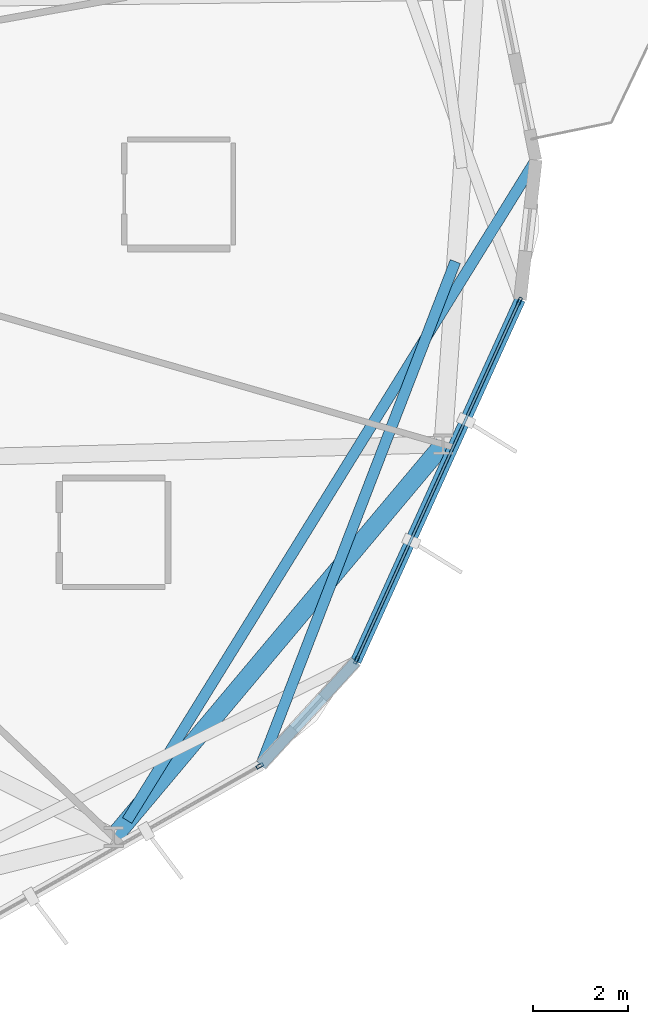
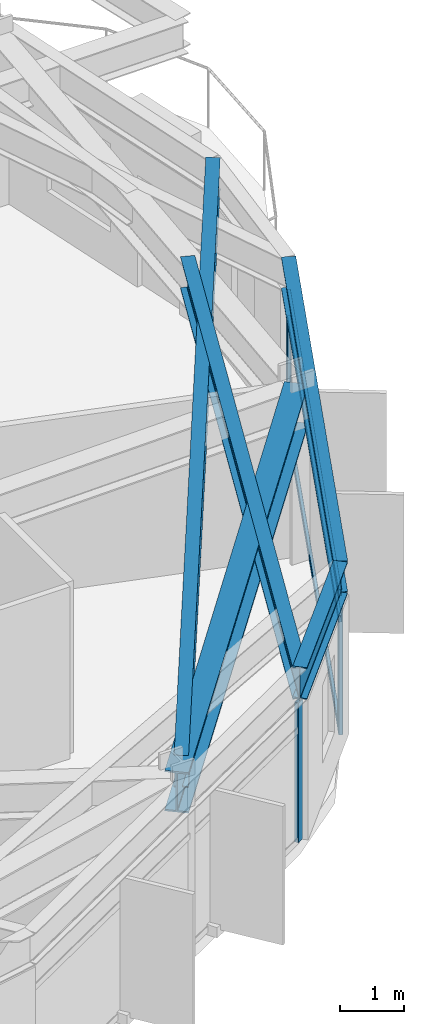
# One storey, part 9 of 22: 6 members, 5 beams, 2 elements without a shape of their own.
"""IFC4 building model written with IfcOpenShell, lengths in metres."""

from ifc_helpers import new_model, si_unit, direction, frame, origin, origin_2d, place, context, subcontext, project, spatial, hollow_rectangle, i_section, extrude, material, layer, layer_set, material_profile, profile_set, type_object, element, aggregate, save


model = new_model("IFC4")

# Units and contexts
model_context = context("Model", 3, precision=1e-05, world=origin(), true_north=direction((0.0, 1.0)))
body_context = subcontext(model_context, "Body", "Model", "MODEL_VIEW")
ifc_project = project(units=[si_unit("LENGTHUNIT", "METRE"), si_unit("AREAUNIT", "SQUARE_METRE"), si_unit("VOLUMEUNIT", "CUBIC_METRE"), si_unit("PLANEANGLEUNIT", "RADIAN"), si_unit("MASSUNIT", "GRAM", prefix="KILO")], contexts=[model_context])

# Site, building, storey
site_placement = place(None, origin())
site = spatial("IfcSite", under=ifc_project, at=site_placement, CompositionType="ELEMENT")
building_placement = place(site_placement, origin())
building = spatial("IfcBuilding", under=site, at=building_placement, Name="Soratama Intermodal Tower", CompositionType="ELEMENT")
storey_placement = place(building_placement, frame((0.0, 0.0, 142.60009765625)))
storey = spatial("IfcBuildingStorey", under=building, at=storey_placement, Name="L34", CompositionType="ELEMENT", Elevation=142.60009765625)

# Beams
ifc_material_1 = material(Name="Structural steel ASTM A992 Grade 50", Category="steel")
ifc_material_profile_1 = material_profile(ifc_material_1, i_section(OverallWidth=0.382080078125, OverallDepth=0.779052734375, WebThickness=0.01806640625, FlangeThickness=0.030029296875, FilletRadius=0.01806640625, at=origin_2d()), Name="W30X191")
ifc_profile_set_1 = profile_set([ifc_material_profile_1], Name="Structural steel ASTM A992 Grade 50")
beam_type_1 = type_object("IfcBeamType", Name="BM-RING-W30X191", PredefinedType="BEAM", material=ifc_profile_set_1)
beam_1_placement = place(storey_placement, frame((54.27392578125, 10.158935546875, 2.910400390625), z_axis=(0.642791781199, 0.766040942785, 0.0), x_axis=(-0.766040942785, 0.642791781199, 0.0)))
element("IfcBeam", 1, at=beam_1_placement, inside=storey, type_object=beam_type_1, Name="BM-L34-RING-09", PredefinedType="BEAM", context=body_context, shape_type="SweptSolid", body=[
    extrude(i_section(OverallWidth=0.382080078125, OverallDepth=0.779052734375, WebThickness=0.01806640625, FlangeThickness=0.030029296875, FilletRadius=0.01806640625, at=origin_2d()), origin(), (0.0, 0.0, 1.0), 10.815673828125),
])
ifc_material_2 = material(Name="Structural steel ASTM A992 Grade 50", Category="steel")
ifc_material_profile_2 = material_profile(ifc_material_2, i_section(OverallWidth=0.22900390625, OverallDepth=0.612060546875, WebThickness=0.011962890625, FlangeThickness=0.01953125, FilletRadius=0.012939453125, at=origin_2d()), Name="W24X84")
ifc_profile_set_2 = profile_set([ifc_material_profile_2], Name="Structural steel ASTM A992 Grade 50")
beam_type_2 = type_object("IfcBeamType", Name="BM-SPN-W24X84", PredefinedType="SPANDREL", material=ifc_profile_set_2)
beam_2_placement = place(storey_placement, frame((57.383056640625, 11.675048828125, 2.993896484375), z_axis=(0.674538621486, 0.738239560118, 0.0), x_axis=(-0.738239560118, 0.674538621486, 0.0)))
element("IfcBeam", 2, at=beam_2_placement, inside=storey, type_object=beam_type_2, Name="BS-L34-CRN08", PredefinedType="SPANDREL", context=body_context, shape_type="SweptSolid", body=[
    extrude(i_section(OverallWidth=0.22900390625, OverallDepth=0.612060546875, WebThickness=0.011962890625, FlangeThickness=0.01953125, FilletRadius=0.012939453125, at=origin_2d()), origin(), (0.0, 0.0, 1.0), 2.966552734375),
])
beam_3_placement = place(storey_placement, frame((59.384033203125, 13.864990234375, 2.993896484375), z_axis=(0.413412383125, 0.910543904202, 0.0), x_axis=(-0.910543904202, 0.413412383125, 0.0)))
element("IfcBeam", 3, at=beam_3_placement, inside=storey, type_object=beam_type_2, Name="BS-L34-F09", PredefinedType="SPANDREL", context=body_context, shape_type="SweptSolid", body=[
    extrude(i_section(OverallWidth=0.22900390625, OverallDepth=0.612060546875, WebThickness=0.011962890625, FlangeThickness=0.01953125, FilletRadius=0.012939453125, at=origin_2d()), origin(), (0.0, 0.0, 1.0), 8.384033203125),
])
ifc_material_3 = material(Name="Structural steel ASTM A992 Grade 50", Category="steel")
ifc_material_profile_3 = material_profile(ifc_material_3, i_section(OverallWidth=0.22900390625, OverallDepth=0.612060546875, WebThickness=0.011962890625, FlangeThickness=0.01953125, FilletRadius=0.012939453125, at=origin_2d()), Name="W24X84")
ifc_profile_set_3 = profile_set([ifc_material_profile_3], Name="Structural steel ASTM A992 Grade 50")
beam_type_3 = type_object("IfcBeamType", Name="BM-TIE-W24X84", PredefinedType="BEAM", material=ifc_profile_set_3)
beam_4_placement = place(storey_placement, frame((61.48388671875, 22.303955078125, 2.993896484375), z_axis=(-0.359956811449, -0.932968967271, 0.0), x_axis=(0.932968967271, -0.359956811449, 0.0)))
element("IfcBeam", 4, at=beam_4_placement, inside=storey, type_object=beam_type_3, Name="BM-L34-TIE1-08", PredefinedType="BEAM", context=body_context, shape_type="SweptSolid", body=[
    extrude(i_section(OverallWidth=0.22900390625, OverallDepth=0.612060546875, WebThickness=0.011962890625, FlangeThickness=0.01953125, FilletRadius=0.012939453125, at=origin_2d()), origin(), (0.0, 0.0, 1.0), 11.392578125),
])
beam_5_placement = place(storey_placement, frame((54.55908203125, 10.508056640625, 2.993896484375), z_axis=(0.526086400135, 0.85043112572, 0.0), x_axis=(-0.85043112572, 0.526086400135, 0.0)))
element("IfcBeam", 5, at=beam_5_placement, inside=storey, type_object=beam_type_3, Name="BM-L34-TIE0-10", PredefinedType="BEAM", context=body_context, shape_type="SweptSolid", body=[
    extrude(i_section(OverallWidth=0.22900390625, OverallDepth=0.612060546875, WebThickness=0.011962890625, FlangeThickness=0.01953125, FilletRadius=0.012939453125, at=origin_2d()), origin(), (0.0, 0.0, 1.0), 16.390380859375),
])

# Curtain wall, member
ifc_material_4 = material(Name="Double-glazed aluminium curtain wall", Category="aluminium")
ifc_layer = layer(ifc_material_4, 0.159912109375)
ifc_layer_set = layer_set([ifc_layer], Name="Double-glazed aluminium curtain wall")
curtain_wall_type = type_object("IfcCurtainWallType", Name="CW-SYS-4", PredefinedType="NOTDEFINED", material=ifc_layer_set)
curtain_wall_1_placement = place(storey_placement, origin())
curtain_wall_1 = element("IfcCurtainWall", 6, at=curtain_wall_1_placement, inside=storey, type_object=curtain_wall_type, Name="L34 Faceted Curtain Wall F08", PredefinedType="NOTDEFINED")
ifc_material_5 = material(Name="Anodised aluminium AA 6063-T6", Category="aluminium")
ifc_material_profile_4 = material_profile(ifc_material_5, hollow_rectangle(XDim=0.070068359375, YDim=0.159912109375, WallThickness=0.0048828125, InnerFilletRadius=0.0048828125, OuterFilletRadius=0.010009765625, at=origin_2d()), Name="CWM160X70X5")
ifc_profile_set_4 = profile_set([ifc_material_profile_4], Name="Anodised aluminium AA 6063-T6")
member_type_1 = type_object("IfcMemberType", Name="MT-CWM-4", PredefinedType="MULLION", material=ifc_profile_set_4)
member_1_placement = place(storey_placement, frame((57.357177734375, 11.66064453125, 0.0), z_axis=(0.0, 0.0, 1.0), x_axis=(-0.493639656351, 0.869666539357, 0.0)))
member_1 = element("IfcMember", 7, at=member_1_placement, type_object=member_type_1, Name="CW-4 mullion 2", PredefinedType="MULLION", context=body_context, shape_type="SweptSolid", body=[
    extrude(hollow_rectangle(XDim=0.070068359375, YDim=0.159912109375, WallThickness=0.0048828125, InnerFilletRadius=0.0048828125, OuterFilletRadius=0.010009765625, at=origin_2d()), origin(), (0.0, 0.0, 1.0), 2.678955078125),
])
aggregate(curtain_wall_1, [member_1])

# Curtain wall, members
curtain_wall_2_placement = place(storey_placement, origin())
curtain_wall_2 = element("IfcCurtainWall", 8, at=curtain_wall_2_placement, inside=storey, type_object=curtain_wall_type, Name="L34 Faceted Curtain Wall F09", PredefinedType="NOTDEFINED")
member_2_placement = place(storey_placement, frame((59.396728515625, 13.892822265625, 0.0), z_axis=(0.0, 0.0, 1.0), x_axis=(-0.910538379449, 0.413424551218, 0.0)))
member_2 = element("IfcMember", 9, at=member_2_placement, type_object=member_type_1, Name="CW-4 mullion 1", PredefinedType="MULLION", context=body_context, shape_type="SweptSolid", body=[
    extrude(hollow_rectangle(XDim=0.070068359375, YDim=0.159912109375, WallThickness=0.0048828125, InnerFilletRadius=0.0048828125, OuterFilletRadius=0.010009765625, at=origin_2d()), origin(), (0.0, 0.0, 1.0), 2.678955078125),
])
member_3_placement = place(storey_placement, frame((62.837890625, 21.471435546875, 0.0), z_axis=(0.0, 0.0, 1.0), x_axis=(-0.910538379449, 0.413424551218, 0.0)))
member_3 = element("IfcMember", 10, at=member_3_placement, type_object=member_type_1, Name="CW-4 mullion 2", PredefinedType="MULLION", context=body_context, shape_type="SweptSolid", body=[
    extrude(hollow_rectangle(XDim=0.070068359375, YDim=0.159912109375, WallThickness=0.0048828125, InnerFilletRadius=0.0048828125, OuterFilletRadius=0.010009765625, at=origin_2d()), origin(), (0.0, 0.0, 1.0), 2.678955078125),
])
ifc_material_6 = material(Name="Anodised aluminium AA 6063-T6", Category="aluminium")
ifc_material_profile_5 = material_profile(ifc_material_6, hollow_rectangle(XDim=0.06005859375, YDim=0.1298828125, WallThickness=0.0048828125, InnerFilletRadius=0.0048828125, OuterFilletRadius=0.010009765625, at=origin_2d()), Name="CWT130X60X5")
ifc_profile_set_5 = profile_set([ifc_material_profile_5], Name="Anodised aluminium AA 6063-T6")
member_type_2 = type_object("IfcMemberType", Name="TT-CWT-2", PredefinedType="USERDEFINED", material=ifc_profile_set_5)
member_4_placement = place(storey_placement, frame((59.4091796875, 13.919921875, 0.02978515625), z_axis=(0.413420039796, 0.91054042782, 0.0), x_axis=(-0.91054042782, 0.413420039796, 0.0)))
member_4 = element("IfcMember", 11, at=member_4_placement, type_object=member_type_2, Name="CW-4 transom 1.1", ObjectType="TRANSOM", PredefinedType="USERDEFINED", context=body_context, shape_type="SweptSolid", body=[
    extrude(hollow_rectangle(XDim=0.06005859375, YDim=0.1298828125, WallThickness=0.0048828125, InnerFilletRadius=0.0048828125, OuterFilletRadius=0.010009765625, at=origin_2d()), origin(), (0.0, 0.0, 1.0), 8.263427734375),
])
member_5_placement = place(storey_placement, frame((59.4091796875, 13.919921875, 2.14990234375), z_axis=(0.413420039796, 0.91054042782, 0.0), x_axis=(-0.91054042782, 0.413420039796, 0.0)))
member_5 = element("IfcMember", 12, at=member_5_placement, type_object=member_type_2, Name="CW-4 transom 1.2", ObjectType="TRANSOM", PredefinedType="USERDEFINED", context=body_context, shape_type="SweptSolid", body=[
    extrude(hollow_rectangle(XDim=0.06005859375, YDim=0.1298828125, WallThickness=0.0048828125, InnerFilletRadius=0.0048828125, OuterFilletRadius=0.010009765625, at=origin_2d()), origin(), (0.0, 0.0, 1.0), 8.263427734375),
])
member_6_placement = place(storey_placement, frame((59.4091796875, 13.919921875, 2.64892578125), z_axis=(0.413420039796, 0.91054042782, 0.0), x_axis=(-0.91054042782, 0.413420039796, 0.0)))
member_6 = element("IfcMember", 13, at=member_6_placement, type_object=member_type_2, Name="CW-4 transom 1.3", ObjectType="TRANSOM", PredefinedType="USERDEFINED", context=body_context, shape_type="SweptSolid", body=[
    extrude(hollow_rectangle(XDim=0.06005859375, YDim=0.1298828125, WallThickness=0.0048828125, InnerFilletRadius=0.0048828125, OuterFilletRadius=0.010009765625, at=origin_2d()), origin(), (0.0, 0.0, 1.0), 8.263427734375),
])
aggregate(curtain_wall_2, [member_2, member_3, member_4, member_5, member_6])

save(model, "model.ifc")
